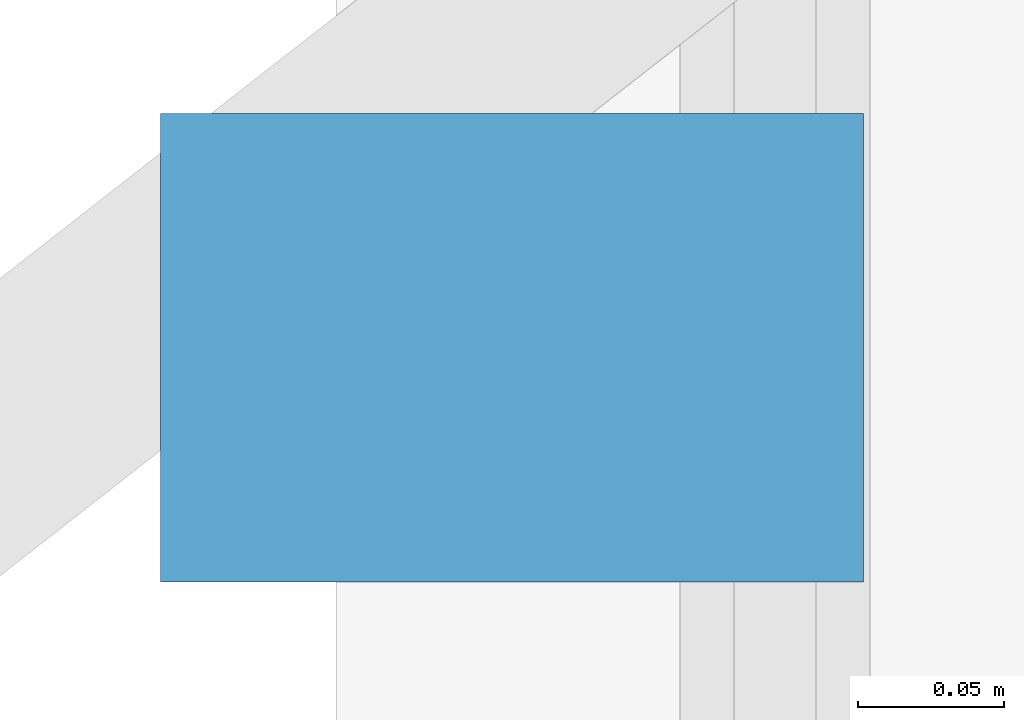
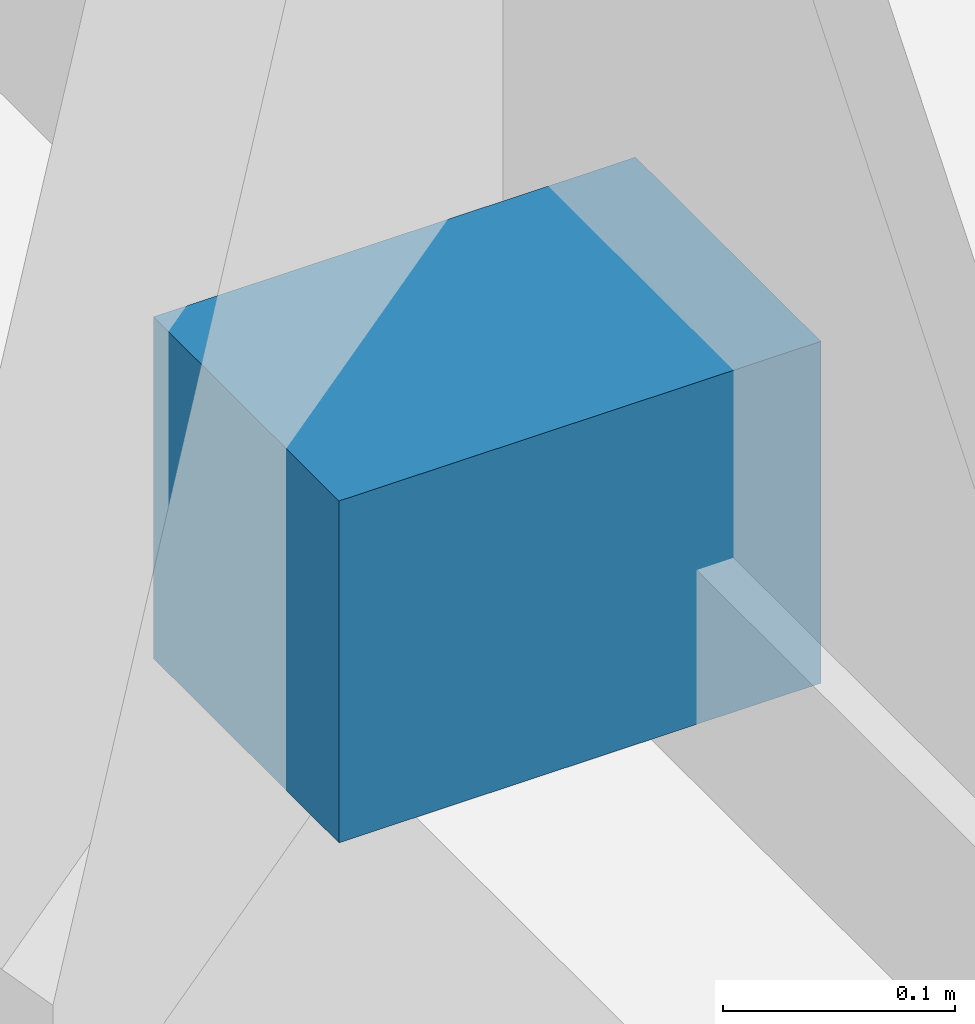
# One storey, part 27 of 29: 1 discrete accessory.
"""IFC4 building model written with IfcOpenShell, lengths in metres."""

from ifc_helpers import new_model, si_unit, direction, frame, origin, origin_2d, place, context, subcontext, project, spatial, rectangle, extrude, material, type_object, element, save


model = new_model("IFC4")

# Units and contexts
model_context = context("Model", 3, precision=1e-05, world=origin(), true_north=direction((0.0, 1.0)))
body_context = subcontext(model_context, "Body", "Model", "MODEL_VIEW")
ifc_project = project(units=[si_unit("LENGTHUNIT", "METRE"), si_unit("AREAUNIT", "SQUARE_METRE"), si_unit("VOLUMEUNIT", "CUBIC_METRE"), si_unit("PLANEANGLEUNIT", "RADIAN"), si_unit("MASSUNIT", "GRAM", prefix="KILO")], contexts=[model_context])

# Site, building, storey
site_placement = place(None, origin())
site = spatial("IfcSite", under=ifc_project, at=site_placement, CompositionType="ELEMENT")
building_placement = place(site_placement, origin())
building = spatial("IfcBuilding", under=site, at=building_placement, Name="Calvorn Quay Hotel", CompositionType="ELEMENT")
storey_placement = place(building_placement, frame((0.0, 0.0, 62.199951171875)))
storey = spatial("IfcBuildingStorey", under=building, at=storey_placement, Name="L14", CompositionType="ELEMENT", Elevation=62.199951171875)

# Discrete accessory
ifc_material = material(Name="Steel Q355B", Category="steel")
discrete_accessory_type = type_object("IfcDiscreteAccessoryType", Name="ACC-FIN-BRACKET", PredefinedType="BRACKET", material=ifc_material)
discrete_accessory_placement = place(storey_placement, frame((0.06005859375, 37.25, 0.0302734375), z_axis=(0.0, 0.0, 1.0), x_axis=(1.0, 0.0, 0.0)))
element("IfcDiscreteAccessory", 1, at=discrete_accessory_placement, inside=storey, type_object=discrete_accessory_type, Name="Fin Anchor Bracket L14-W03", PredefinedType="BRACKET", context=body_context, shape_type="SweptSolid", body=[
    extrude(rectangle(XDim=0.239990234375, YDim=0.159912109375, at=origin_2d()), origin(), (0.0, 0.0, 1.0), 0.179931640625),
])

save(model, "model.ifc")
